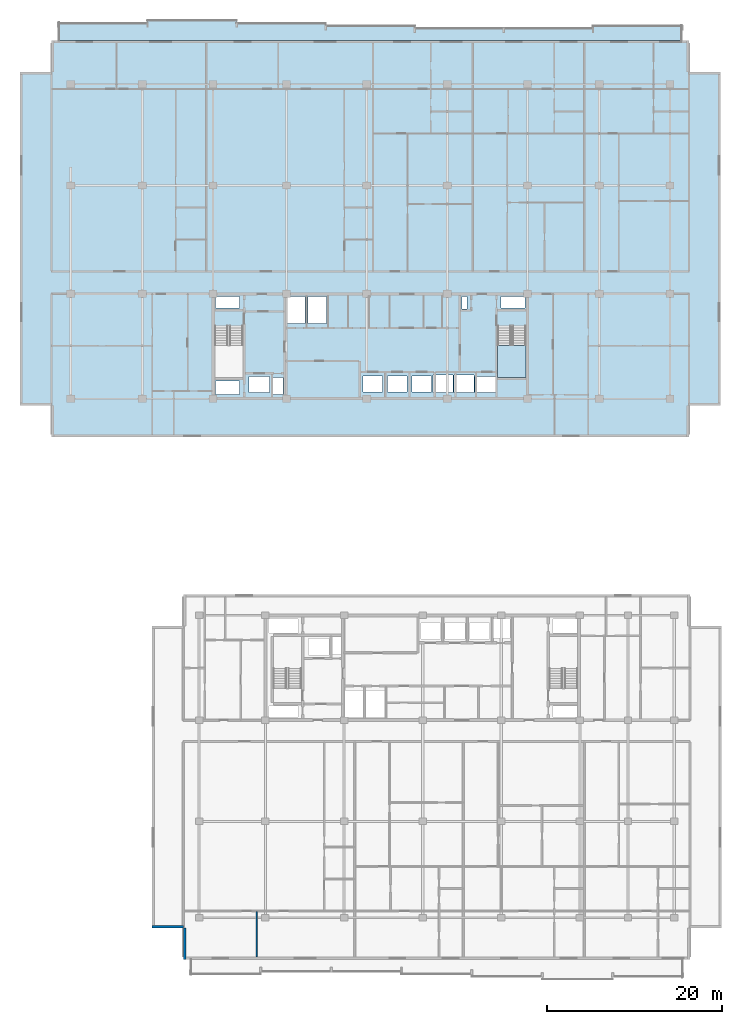
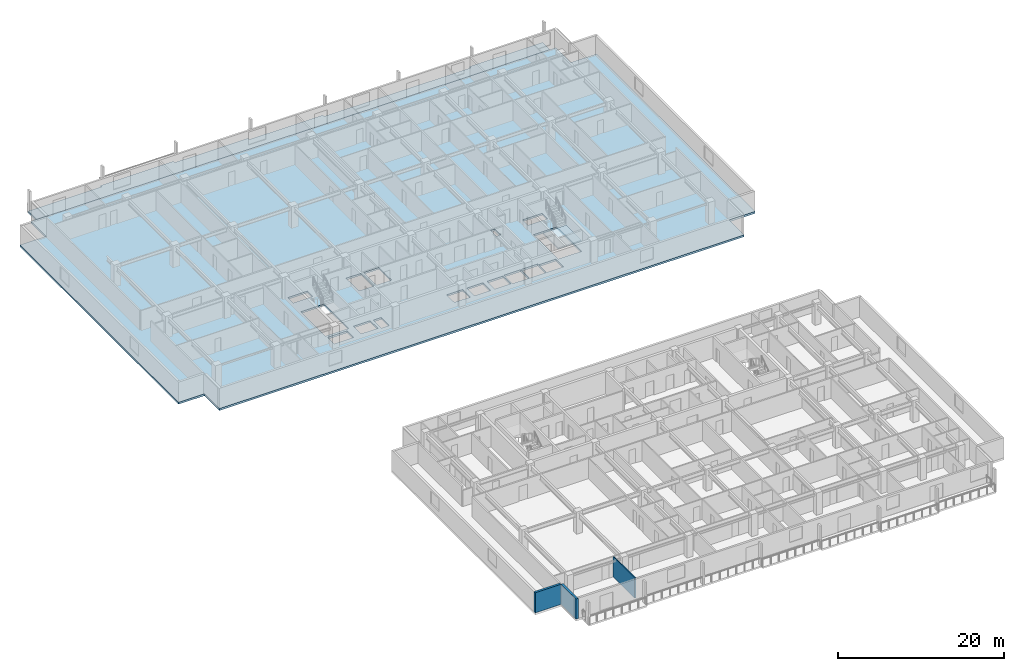
# One storey, part 3 of 22: 3 slabs, 3 walls, 1 element without a shape of its own.
"""IFC4 building model written with IfcOpenShell, lengths in metres."""

import ifcopenshell
import ifcopenshell.guid

model = None  # the IFC model being written
_history = None  # IfcOwnerHistory: only IFC2X3 demands one
_inside = {}  # id of a spatial element -> (the spatial element, [elements in it])
_under = {}  # id of a project, library or spatial element -> (it, [spatial elements below it])
_declared = {}  # id of a project -> (the project, [libraries it declares])
_typed = {}  # id of a type object -> (the type object, [elements of that type])
_made_of = {}  # id of a material, layer set ... -> (it, [elements and type objects made of it])


def new_model(schema):
    """Start an empty IFC model of exactly this schema.

    Asked for "IFC4X3", IfcOpenShell would pick the latest addendum, in which some entities
    have other attributes; the version numbers below select the first issue.
    IFC2X3 requires an IfcOwnerHistory on every rooted entity: one is made here for all.
    """
    global model, _history
    if schema == "IFC4X3":
        model = ifcopenshell.file(schema_version=(4, 3, 0, 0))
    else:
        model = ifcopenshell.file(schema=schema)
    _inside.clear()
    _under.clear()
    _declared.clear()
    _typed.clear()
    _made_of.clear()
    _history = None
    if model.schema == "IFC2X3":
        org = make("IfcOrganization", Name="unknown")
        user = make(
            "IfcPersonAndOrganization",
            ThePerson=make("IfcPerson", FamilyName="unknown"),
            TheOrganization=org,
        )
        app = make(
            "IfcApplication",
            ApplicationDeveloper=org,
            Version="unknown",
            ApplicationFullName="unknown",
            ApplicationIdentifier="unknown",
        )
        _history = make(
            "IfcOwnerHistory",
            OwningUser=user,
            OwningApplication=app,
            ChangeAction="ADDED",
            CreationDate=0,
        )
    return model


def make(cls, **values):
    """One entity of the class cls with the attributes given. An attribute that is None is left unset."""
    return model.create_entity(
        cls, **{name: value for name, value in values.items() if value is not None}
    )


def rooted(cls, **values):
    """An entity with a GlobalId (a new one), such as an element, a storey or a relation."""
    return make(cls, GlobalId=ifcopenshell.guid.new(), OwnerHistory=_history, **values)


def si_unit(unit_type, name, prefix=None):
    """IfcSIUnit, for example si_unit("LENGTHUNIT", "METRE", prefix="MILLI")."""
    return make("IfcSIUnit", UnitType=unit_type, Prefix=prefix, Name=name)


def assignment(units):
    """IfcUnitAssignment: the units of a project."""
    return None if units is None else make("IfcUnitAssignment", Units=units)


def point(xyz):
    """IfcCartesianPoint."""
    return None if xyz is None else make("IfcCartesianPoint", Coordinates=xyz)


def direction(xyz):
    """IfcDirection."""
    return None if xyz is None else make("IfcDirection", DirectionRatios=xyz)


def frame(location, z_axis=None, x_axis=None):
    """IfcAxis2Placement3D, a coordinate frame: its origin and axes. An axis left out is left unset."""
    return make(
        "IfcAxis2Placement3D",
        Location=point(location),
        Axis=direction(z_axis),
        RefDirection=direction(x_axis),
    )


def frame_2d(location, x_axis=None):
    """IfcAxis2Placement2D, a coordinate frame in the plane: its origin and x axis."""
    return make(
        "IfcAxis2Placement2D", Location=point(location), RefDirection=direction(x_axis)
    )


def origin():
    """The frame at (0, 0, 0) with its axes left unset."""
    return frame((0.0, 0.0, 0.0))


def place(relative_to, where):
    """IfcLocalPlacement: puts the frame where relative to a parent placement (None: the world)."""
    return make(
        "IfcLocalPlacement", PlacementRelTo=relative_to, RelativePlacement=where
    )


def context(
    kind, dimensions, precision=None, world=None, true_north=None, identifier=None
):
    """IfcGeometricRepresentationContext, for example the 3D "Model" context."""
    return make(
        "IfcGeometricRepresentationContext",
        ContextIdentifier=identifier,
        ContextType=kind,
        CoordinateSpaceDimension=dimensions,
        Precision=precision,
        WorldCoordinateSystem=world,
        TrueNorth=true_north,
    )


def subcontext(parent, identifier, kind, view, scale=None):
    """IfcGeometricRepresentationSubContext, for example "Body" below "Model"."""
    return make(
        "IfcGeometricRepresentationSubContext",
        ContextIdentifier=identifier,
        ContextType=kind,
        ParentContext=parent,
        TargetScale=scale,
        TargetView=view,
    )


def project(units=None, contexts=None):
    """IfcProject with its units and contexts."""
    return rooted(
        "IfcProject",
        Name="project",
        RepresentationContexts=contexts,
        UnitsInContext=assignment(units),
    )


def spatial(cls, under=None, at=None, **own):
    """A site, building, storey or space (cls), placed at a placement, below another one or the project."""
    s = rooted(cls, ObjectPlacement=at, **own)
    if under is not None:
        _under.setdefault(under.id(), (under, []))[1].append(s)
    return s


def polyline(points):
    """IfcPolyline through the points."""
    return make("IfcPolyline", Points=[point(p) for p in points])


def profile(cls, at=None, kind="AREA", **sizes):
    """A parametric profile (cls). Its sizes go by their IFC names, for example OverallWidth=200.0."""
    return make(cls, ProfileType=kind, Position=at, **sizes)


def rectangle(**sizes):
    """IfcRectangleProfileDef."""
    return profile("IfcRectangleProfileDef", **sizes)


def outline(outer, holes=None, kind="AREA"):
    """IfcArbitraryClosedProfileDef: a profile drawn as a closed curve; with holes, ...WithVoids."""
    if holes is None:
        return make("IfcArbitraryClosedProfileDef", ProfileType=kind, OuterCurve=outer)
    return make(
        "IfcArbitraryProfileDefWithVoids",
        ProfileType=kind,
        OuterCurve=outer,
        InnerCurves=holes,
    )


def extrude(swept, where, along, depth):
    """IfcExtrudedAreaSolid: the profile swept, set in the frame where, extruded along a direction by depth."""
    return make(
        "IfcExtrudedAreaSolid",
        SweptArea=swept,
        Position=where,
        ExtrudedDirection=direction(along),
        Depth=depth,
    )


def shape(context_of_items, identifier, shape_type, items):
    """IfcShapeRepresentation: the items that make up one representation, for example the "Body"."""
    return make(
        "IfcShapeRepresentation",
        ContextOfItems=context_of_items,
        RepresentationIdentifier=identifier,
        RepresentationType=shape_type,
        Items=items,
    )


def material(Name=None, Category=None):
    """IfcMaterial."""
    return make("IfcMaterial", Name=Name, Category=Category)


def layer(
    of_material, thickness, ventilated=None, Name=None, Category=None, Priority=None
):
    """IfcMaterialLayer: one layer of a wall or slab, of a material (None: an air gap)."""
    return make(
        "IfcMaterialLayer",
        Material=of_material,
        LayerThickness=thickness,
        IsVentilated=ventilated,
        Name=Name,
        Category=Category,
        Priority=Priority,
    )


def layer_set(layers, Name=None):
    """IfcMaterialLayerSet."""
    return make("IfcMaterialLayerSet", MaterialLayers=layers, LayerSetName=Name)


def made_of(thing, what):
    """Note that an element or type object is made of a material, layer set ...; save() writes the relation."""
    if what is not None:
        _made_of.setdefault(what.id(), (what, []))[1].append(thing)
    return thing


def type_object(cls, material=None, **own):
    """A type object (cls), such as IfcWallType, which elements share."""
    return made_of(rooted(cls, **own), material)


def element(
    cls,
    number,
    at=None,
    inside=None,
    cuts=None,
    type_object=None,
    material=None,
    context=None,
    identifier="Body",
    shape_type=None,
    held_by="IfcProductDefinitionShape",
    body=None,
    shapes=None,
    **own,
):
    """One element of the class cls, such as IfcWall. Its Tag is "e" and its number.

    at: its placement. inside: the storey or other place that contains it. cuts: it is an
    opening in that element (IfcRelVoidsElement). A single representation is given by context,
    identifier, shape_type and body (its items); several are given by shapes. held_by: the class
    of the entity that holds the representations. save() writes the other relations.
    """
    e = rooted(cls, Tag="e%d" % number, ObjectPlacement=at, **own)
    if body is not None:
        shapes = [shape(context, identifier, shape_type, body)]
    if shapes is not None:
        e.Representation = make(held_by, Representations=shapes)
    if inside is not None:
        _inside.setdefault(inside.id(), (inside, []))[1].append(e)
    if cuts is not None:
        rooted(
            "IfcRelVoidsElement", RelatingBuildingElement=cuts, RelatedOpeningElement=e
        )
    if type_object is not None:
        _typed.setdefault(type_object.id(), (type_object, []))[1].append(e)
    return made_of(e, material)


def aggregate(whole, parts):
    """IfcRelAggregates: a whole, such as a stair, and the parts it consists of."""
    return rooted("IfcRelAggregates", RelatingObject=whole, RelatedObjects=parts)


def save(model, path):
    """Write the relations noted so far, then the file.

    IfcRelAggregates (storeys below a building ...), IfcRelContainedInSpatialStructure (elements
    in a storey), IfcRelDefinesByType, IfcRelAssociatesMaterial and IfcRelDeclares: one each for
    every whole, place, type object, material and project.
    """
    for whole, parts in _under.values():
        aggregate(whole, parts)
    for where, things in _inside.values():
        rooted(
            "IfcRelContainedInSpatialStructure",
            RelatedElements=things,
            RelatingStructure=where,
        )
    for kind, things in _typed.values():
        rooted("IfcRelDefinesByType", RelatedObjects=things, RelatingType=kind)
    for what, things in _made_of.values():
        rooted("IfcRelAssociatesMaterial", RelatedObjects=things, RelatingMaterial=what)
    for by, libraries in _declared.values():
        rooted("IfcRelDeclares", RelatingContext=by, RelatedDefinitions=libraries)
    model.write(path)


model = new_model("IFC4")

# Units and contexts
model_context = context("Model", 3, precision=1e-05, world=origin(), true_north=direction((0.0, 1.0)))
body_context = subcontext(model_context, "Body", "Model", "MODEL_VIEW")
ifc_project = project(units=[si_unit("LENGTHUNIT", "METRE"), si_unit("AREAUNIT", "SQUARE_METRE"), si_unit("VOLUMEUNIT", "CUBIC_METRE"), si_unit("PLANEANGLEUNIT", "RADIAN"), si_unit("MASSUNIT", "GRAM", prefix="KILO")], contexts=[model_context])

# Site, building, storey
site_placement = place(None, origin())
site = spatial("IfcSite", under=ifc_project, at=site_placement, CompositionType="ELEMENT")
building_placement = place(site_placement, origin())
building = spatial("IfcBuilding", under=site, at=building_placement, Name="Korimba Cascade Residences", CompositionType="ELEMENT")
storey_placement = place(building_placement, frame((0.0, 0.0, 110.050048828125)))
storey = spatial("IfcBuildingStorey", under=building, at=storey_placement, Name="L31", CompositionType="ELEMENT", Elevation=110.050048828125)

# Stair, slab
ifc_material_1 = material(Name="Concrete C50/60", Category="concrete")
stair_type = type_object("IfcStairType", Name="STR-W2-18R-1806", PredefinedType="HALF_TURN_STAIR", material=ifc_material_1)
stair_placement = place(storey_placement, origin())
stair = element("IfcStair", 1, at=stair_placement, inside=storey, type_object=stair_type, Name="L31 Tower 1 East Fire Stair ST-W2", PredefinedType="HALF_TURN_STAIR")
ifc_layer_1 = layer(ifc_material_1, 0.199951171875)
ifc_layer_set_1 = layer_set([ifc_layer_1], Name="Concrete C50/60")
slab_type_1 = type_object("IfcSlabType", Name="SLB-LND-220", PredefinedType="LANDING", material=ifc_layer_set_1)
slab_1_placement = place(storey_placement, frame((0.0, 0.0, 1.425048828125)))
slab_1 = element("IfcSlab", 2, at=slab_1_placement, type_object=slab_type_1, Name="ST-W2 landing 1", PredefinedType="LANDING", context=body_context, shape_type="SweptSolid", body=[
    extrude(outline(polyline([(108.659912109375, 61.31005859375), (108.659912109375, 57.60009765625), (111.89990234375, 57.60009765625), (111.89990234375, 61.31005859375), (108.659912109375, 61.31005859375)])), origin(), (0.0, 0.0, 1.0), 0.199951171875),
])
aggregate(stair, [slab_1])

# Slabs
ifc_material_2 = material(Name="Precast concrete C40/50", Category="concrete")
ifc_layer_2 = layer(ifc_material_2, 0.239990234375)
ifc_layer_set_2 = layer_set([ifc_layer_2], Name="Precast concrete C40/50")
slab_type_2 = type_object("IfcSlabType", Name="SLB-LOG-240", PredefinedType="FLOOR", material=ifc_layer_set_2)
slab_2_placement = place(storey_placement, frame((0.0, 0.0, -0.239990234375)))
element("IfcSlab", 3, at=slab_2_placement, inside=storey, type_object=slab_type_2, Name="L31 Tower 1 North Loggia Slab", PredefinedType="FLOOR", context=body_context, shape_type="SweptSolid", body=[
    extrude(outline(polyline([(58.39990234375, 96.199951171875), (129.800048828125, 96.199951171875), (129.800048828125, 97.949951171875), (119.60009765625, 97.949951171875), (119.60009765625, 97.64990234375), (99.199951171875, 97.64990234375), (99.199951171875, 97.949951171875), (89.0, 97.949951171875), (89.0, 98.25), (78.800048828125, 98.25), (78.800048828125, 98.550048828125), (68.60009765625, 98.550048828125), (68.60009765625, 98.25), (58.39990234375, 98.25), (58.39990234375, 96.199951171875)])), origin(), (0.0, 0.0, 1.0), 0.239990234375),
])
ifc_layer_3 = layer(ifc_material_1, 0.280029296875)
ifc_layer_set_3 = layer_set([ifc_layer_3], Name="Concrete C50/60")
slab_type_3 = type_object("IfcSlabType", Name="SLB-TYP-280", PredefinedType="FLOOR", material=ifc_layer_set_3)
slab_3_placement = place(storey_placement, frame((0.0, 0.0, -0.280029296875)))
element("IfcSlab", 4, at=slab_3_placement, inside=storey, type_object=slab_type_3, Name="L31 Tower 1 Floor Slab", PredefinedType="FLOOR", context=body_context, shape_type="SweptSolid", body=[
    extrude(outline(polyline([(57.60009765625, 50.800048828125), (130.60009765625, 50.800048828125), (130.60009765625, 54.39990234375), (134.199951171875, 54.39990234375), (134.199951171875, 92.60009765625), (130.60009765625, 92.60009765625), (130.60009765625, 96.199951171875), (57.60009765625, 96.199951171875), (57.60009765625, 92.60009765625), (54.0, 92.60009765625), (54.0, 54.39990234375), (57.60009765625, 54.39990234375), (57.60009765625, 50.800048828125)]), holes=[polyline([(76.300048828125, 63.514892578125), (76.300048828125, 57.60009765625), (79.5400390625, 57.60009765625), (79.5400390625, 63.514892578125), (76.300048828125, 63.514892578125)]), polyline([(108.659912109375, 63.514892578125), (108.659912109375, 57.60009765625), (111.89990234375, 57.60009765625), (111.89990234375, 63.514892578125), (108.659912109375, 63.514892578125)]), polyline([(80.22998046875, 55.8798828125), (82.570068359375, 55.8798828125), (82.570068359375, 57.719970703125), (80.22998046875, 57.719970703125), (80.22998046875, 55.8798828125)]), polyline([(106.080078125, 55.8798828125), (108.419921875, 55.8798828125), (108.419921875, 57.719970703125), (106.080078125, 57.719970703125), (106.080078125, 55.8798828125)]), polyline([(93.280029296875, 55.97998046875), (95.52001953125, 55.97998046875), (95.52001953125, 57.820068359375), (93.280029296875, 57.820068359375), (93.280029296875, 55.97998046875)]), polyline([(96.080078125, 55.97998046875), (98.320068359375, 55.97998046875), (98.320068359375, 57.820068359375), (96.080078125, 57.820068359375), (96.080078125, 55.97998046875)]), polyline([(98.8798828125, 55.97998046875), (101.1201171875, 55.97998046875), (101.1201171875, 57.820068359375), (98.8798828125, 57.820068359375), (98.8798828125, 55.97998046875)]), polyline([(101.304931640625, 55.8798828125), (103.594970703125, 55.8798828125), (103.594970703125, 57.919921875), (101.304931640625, 57.919921875), (101.304931640625, 55.8798828125)]), polyline([(103.705078125, 55.8798828125), (105.9951171875, 55.8798828125), (105.9951171875, 57.919921875), (103.705078125, 57.919921875), (103.705078125, 55.8798828125)]), polyline([(82.97998046875, 55.679931640625), (84.080078125, 55.679931640625), (84.080078125, 57.6201171875), (82.97998046875, 57.6201171875), (82.97998046875, 55.679931640625)]), polyline([(76.39990234375, 65.56005859375), (79.10009765625, 65.56005859375), (79.10009765625, 66.8798828125), (76.39990234375, 66.8798828125), (76.39990234375, 65.56005859375)]), polyline([(76.39990234375, 55.679931640625), (79.10009765625, 55.679931640625), (79.10009765625, 57.239990234375), (76.39990234375, 57.239990234375), (76.39990234375, 55.679931640625)]), polyline([(84.530029296875, 63.820068359375), (86.6201171875, 63.820068359375), (86.6201171875, 66.8798828125), (84.530029296875, 66.8798828125), (84.530029296875, 63.820068359375)]), polyline([(86.97998046875, 63.820068359375), (89.070068359375, 63.820068359375), (89.070068359375, 66.8798828125), (86.97998046875, 66.8798828125), (86.97998046875, 63.820068359375)]), polyline([(104.6201171875, 65.4599609375), (105.179931640625, 65.4599609375), (105.179931640625, 66.8798828125), (104.6201171875, 66.8798828125), (104.6201171875, 65.4599609375)]), polyline([(109.080078125, 65.56005859375), (111.800048828125, 65.56005859375), (111.800048828125, 66.8798828125), (109.080078125, 66.8798828125), (109.080078125, 65.56005859375)])]), origin(), (0.0, 0.0, 1.0), 0.280029296875),
])

# Walls
ifc_layer_4 = layer(ifc_material_2, 0.300048828125)
ifc_layer_set_4 = layer_set([ifc_layer_4], Name="Precast concrete C40/50")
wall_type_1 = type_object("IfcWallType", Name="EW-STONE-300", PredefinedType="STANDARD", material=ifc_layer_set_4)
wall_1_placement = place(storey_placement, frame((69.10009765625, -5.25, 0.0), z_axis=(0.0, 0.0, 1.0), x_axis=(1.0, 0.0, 0.0)))
element("IfcWall", 5, at=wall_1_placement, inside=storey, type_object=wall_type_1, Name="L31 T2 Perimeter Stone Wall E10", PredefinedType="STANDARD", context=body_context, shape_type="SweptSolid", body=[
    extrude(rectangle(XDim=3.599853515625, YDim=0.300048828125, at=frame_2d((1.7998046875, 0.0))), origin(), (0.0, 0.0, 1.0), 2.969970703125),
])
wall_2_placement = place(storey_placement, frame((72.85009765625, -5.39990234375, 0.0), z_axis=(0.0, 0.0, 1.0), x_axis=(0.0, -1.0, 0.0)))
element("IfcWall", 6, at=wall_2_placement, inside=storey, type_object=wall_type_1, Name="L31 T2 Perimeter Stone Wall E11", PredefinedType="STANDARD", context=body_context, shape_type="SweptSolid", body=[
    extrude(rectangle(XDim=3.60009765625, YDim=0.300048828125, at=frame_2d((1.800048828125, 0.0))), origin(), (0.0, 0.0, 1.0), 2.969970703125),
])
ifc_material_3 = material(Name="Insulated Acoustic Stud Partition", Category="gypsum")
ifc_layer_5 = layer(ifc_material_3, 0.14990234375)
ifc_layer_set_5 = layer_set([ifc_layer_5], Name="Insulated Acoustic Stud Partition")
wall_type_2 = type_object("IfcWallType", Name="WAL-PART-150", PredefinedType="PARTITIONING", material=ifc_layer_set_5)
wall_3_placement = place(storey_placement, frame((81.0966796875, -8.699951171875, 0.0), z_axis=(0.0, 0.0, 1.0), x_axis=(0.0, 1.0, 0.0)))
element("IfcWall", 7, at=wall_3_placement, inside=storey, type_object=wall_type_2, Name="L31 Partition Wall WAL-L31-T2-U01-OUTV", PredefinedType="PARTITIONING", context=body_context, shape_type="SweptSolid", body=[
    extrude(rectangle(XDim=5.169921875, YDim=0.14990234375, at=frame_2d((2.5849609375, 0.0))), origin(), (0.0, 0.0, 1.0), 2.969970703125),
])

save(model, "model.ifc")
